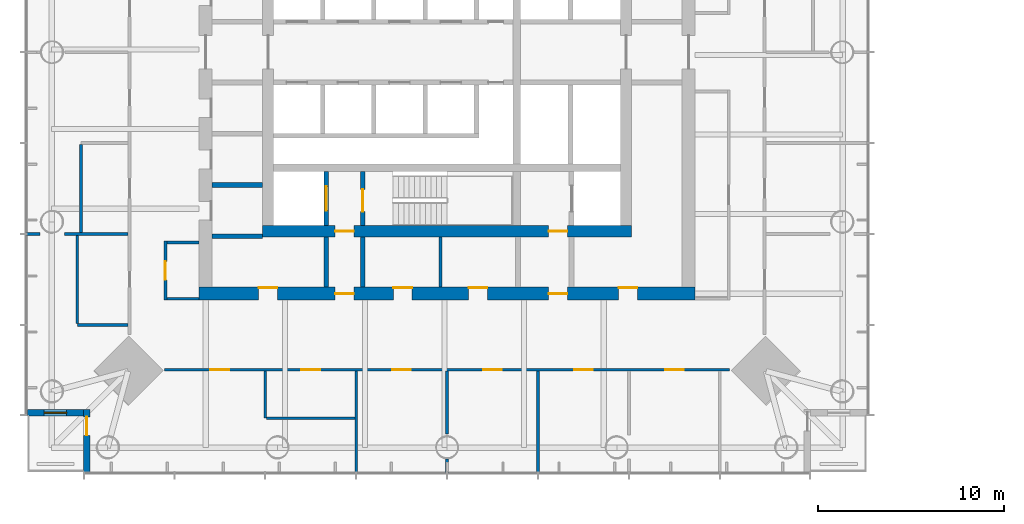
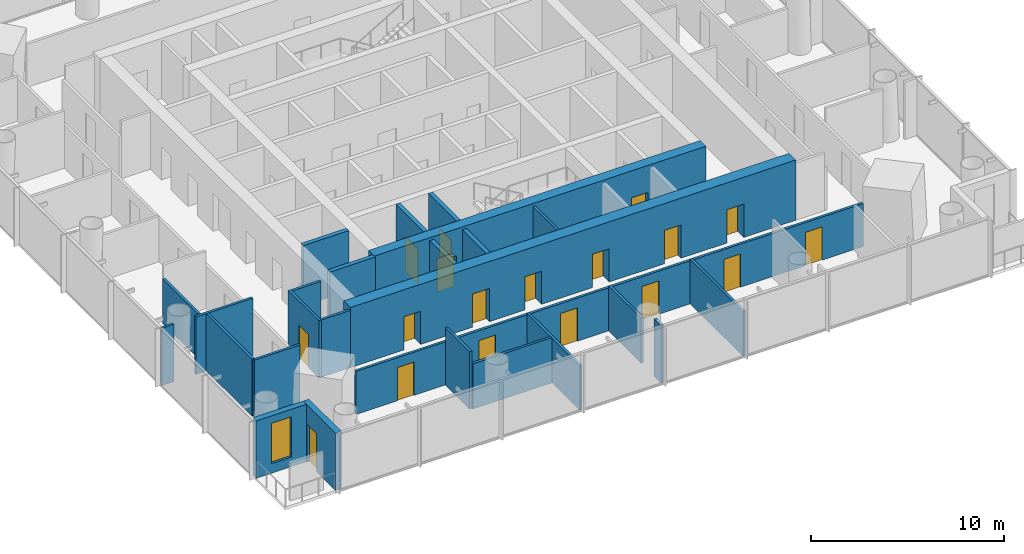
# One storey, part 9 of 20: 26 walls, 18 doors, 1 window, 19 openings.
"""IFC4 building model written with IfcOpenShell, lengths in metres."""

from ifc_helpers import new_model, si_unit, direction, frame, frame_2d, origin, place, context, subcontext, project, spatial, rectangle, extrude, material, layer, layer_set, type_object, element, fill, save


model = new_model("IFC4")

# Units and contexts
model_context = context("Model", 3, precision=1e-05, world=origin(), true_north=direction((0.0, 1.0)))
body_context = subcontext(model_context, "Body", "Model", "MODEL_VIEW")
ifc_project = project(units=[si_unit("LENGTHUNIT", "METRE"), si_unit("AREAUNIT", "SQUARE_METRE"), si_unit("VOLUMEUNIT", "CUBIC_METRE"), si_unit("PLANEANGLEUNIT", "RADIAN"), si_unit("MASSUNIT", "GRAM", prefix="KILO")], contexts=[model_context])

# Site, building, storey
site_placement = place(None, origin())
site = spatial("IfcSite", under=ifc_project, at=site_placement, CompositionType="ELEMENT")
building_placement = place(site_placement, origin())
building = spatial("IfcBuilding", under=site, at=building_placement, Name="Ostroluk Exchange", CompositionType="ELEMENT")
storey_placement = place(building_placement, frame((0.0, 0.0, 108.39990234375)))
storey = spatial("IfcBuildingStorey", under=building, at=storey_placement, Name="L27", CompositionType="ELEMENT", Elevation=108.39990234375)

# Walls
ifc_material_1 = material(Name="Concrete blockwork", Category="masonry")
ifc_layer_1 = layer(ifc_material_1, 0.14990234375)
ifc_layer_set_1 = layer_set([ifc_layer_1], Name="Blockwork plant room wall 150")
wall_type_1 = type_object("IfcWallType", Name="Blockwork plant room wall 150", PredefinedType="SOLIDWALL", material=ifc_layer_set_1)
wall_1_placement = place(storey_placement, frame((44.639892578125, 33.39990234375, 0.0), z_axis=(0.0, 0.0, 1.0), x_axis=(0.0, 1.0, 0.0)))
element("IfcWall", 1, at=wall_1_placement, inside=storey, type_object=wall_type_1, Name="Core room wall", PredefinedType="SOLIDWALL", context=body_context, shape_type="SweptSolid", body=[
    extrude(rectangle(XDim=2.7001953125, YDim=0.14990234375, at=frame_2d((1.35009765625, 0.0))), origin(), (0.0, 0.0, 1.0), 3.6201171875),
])
ifc_material_2 = material(Name="Concrete blockwork", Category="masonry")
ifc_layer_2 = layer(ifc_material_2, 0.25)
ifc_layer_set_2 = layer_set([ifc_layer_2], Name="Blockwork stair enclosure wall 250")
wall_type_2 = type_object("IfcWallType", Name="Blockwork stair enclosure wall 250", PredefinedType="SOLIDWALL", material=ifc_layer_set_2)
for number, where, z_axis, x_axis, name in (
    (2, (38.52490234375, 33.39990234375, 0.0), (0.0, 0.0, 1.0), (0.0, 1.0, 0.0), "Fire lobby enclosure wall"),
    (3, (40.47509765625, 33.39990234375, 0.0), (0.0, 0.0, 1.0), (0.0, 1.0, 0.0), "Fire lobby enclosure wall"),
):
    element("IfcWall", number, at=place(storey_placement, frame(where, z_axis=z_axis, x_axis=x_axis)), inside=storey, type_object=wall_type_2, Name=name, PredefinedType="SOLIDWALL", context=body_context, shape_type="SweptSolid", body=[
        extrude(rectangle(XDim=2.7001953125, YDim=0.25, at=frame_2d((1.35009765625, 0.0))), origin(), (0.0, 0.0, 1.0), 3.6201171875),
    ])

# Wall, opening, door
ifc_material_3 = material(Name="Concrete C40/50", Category="concrete")
ifc_layer_3 = layer(ifc_material_3, 0.25)
ifc_layer_set_3 = layer_set([ifc_layer_3], Name="Core shaft wall 250")
wall_type_3 = type_object("IfcWallType", Name="Core shaft wall 250", PredefinedType="SHEAR", material=ifc_layer_set_3)
wall_2_placement = place(storey_placement, frame((38.52490234375, 36.699951171875, 0.0), z_axis=(0.0, 0.0, 1.0), x_axis=(0.0, 1.0, 0.0)))
wall_2 = element("IfcWall", 4, at=wall_2_placement, inside=storey, type_object=wall_type_3, Name="Firefighting lift shaft wall", PredefinedType="SHEAR", context=body_context, shape_type="SweptSolid", body=[
    extrude(rectangle(XDim=2.900146484375, YDim=0.25, at=frame_2d((1.4501953125, 0.0))), origin(), (0.0, 0.0, 1.0), 3.800048828125),
])
opening_1_placement = place(wall_2_placement, frame((0.800048828125, 0.0, 0.0)))
opening_1 = element("IfcOpeningElement", 5, at=opening_1_placement, cuts=wall_2, Name="Opening LD2", PredefinedType="OPENING", context=body_context, shape_type="SweptSolid", body=[
    extrude(rectangle(XDim=1.300048828125, YDim=2.199951171875, at=frame_2d((0.64990234375, 1.10009765625))), frame((0.0, 0.135009765625, 0.0), z_axis=(0.0, -1.0, 0.0), x_axis=(1.0, 0.0, 0.0)), (0.0, 0.0, 1.0), 0.27001953125),
])
ifc_material_4 = material(Name="Stainless steel", Category="steel")
door_type_1 = type_object("IfcDoorType", Name="Lift landing door E 60 1300 x 2200", OperationType="DOUBLE_DOOR_SLIDING", PredefinedType="DOOR", material=ifc_material_4)
door_1_placement = place(opening_1_placement, origin())
door_1 = element("IfcDoor", 6, at=door_1_placement, inside=storey, type_object=door_type_1, Name="Lift FL1 landing door", OperationType="DOUBLE_DOOR_SLIDING", OverallHeight=2.199951171875, OverallWidth=1.300048828125, PredefinedType="DOOR", context=body_context, shape_type="SweptSolid", body=[
    extrude(rectangle(XDim=1.300048828125, YDim=2.199951171875, at=frame_2d((0.64990234375, 1.10009765625))), frame((0.0, 0.02490234375, 0.0), z_axis=(0.0, -1.0, 0.0), x_axis=(1.0, 0.0, 0.0)), (0.0, 0.0, 1.0), 0.050048828125),
])
fill(opening_1, door_1)

wall_3_placement = place(storey_placement, frame((40.47509765625, 36.699951171875, 0.0), z_axis=(0.0, 0.0, 1.0), x_axis=(0.0, 1.0, 0.0)))
wall_3 = element("IfcWall", 7, at=wall_3_placement, inside=storey, type_object=wall_type_3, Name="Stair shaft wall", PredefinedType="SHEAR", context=body_context, shape_type="SweptSolid", body=[
    extrude(rectangle(XDim=2.900146484375, YDim=0.25, at=frame_2d((1.4501953125, 0.0))), origin(), (0.0, 0.0, 1.0), 3.800048828125),
])
opening_2_placement = place(wall_3_placement, frame((0.75, 0.0, 0.0)))
opening_2 = element("IfcOpeningElement", 8, at=opening_2_placement, cuts=wall_3, Name="Opening FD60S", PredefinedType="OPENING", context=body_context, shape_type="SweptSolid", body=[
    extrude(rectangle(XDim=1.199951171875, YDim=2.10009765625, at=frame_2d((0.60009765625, 1.050048828125))), frame((0.0, 0.135009765625, 0.0), z_axis=(0.0, -1.0, 0.0), x_axis=(1.0, 0.0, 0.0)), (0.0, 0.0, 1.0), 0.27001953125),
])
ifc_material_5 = material(Name="Steel", Category="steel")
door_type_2 = type_object("IfcDoorType", Name="Stair door EI 60 1200 x 2100", OperationType="SINGLE_SWING_LEFT", PredefinedType="DOOR", material=ifc_material_5)
door_2_placement = place(opening_2_placement, origin())
door_2 = element("IfcDoor", 9, at=door_2_placement, inside=storey, type_object=door_type_2, Name="Stair T1-S1 door", OperationType="SINGLE_SWING_LEFT", OverallHeight=2.10009765625, OverallWidth=1.199951171875, PredefinedType="DOOR", context=body_context, shape_type="SweptSolid", body=[
    extrude(rectangle(XDim=1.199951171875, YDim=2.10009765625, at=frame_2d((0.60009765625, 1.050048828125))), frame((0.0, 0.02490234375, 0.0), z_axis=(0.0, -1.0, 0.0), x_axis=(1.0, 0.0, 0.0)), (0.0, 0.0, 1.0), 0.050048828125),
])
fill(opening_2, door_2)

# Walls
for number, where, z_axis, x_axis, name in (
    (10, (32.39990234375, 36.125, 0.0), (0.0, 0.0, 1.0), (1.0, 0.0, 0.0), "Lift shaft wall"),
    (11, (32.39990234375, 38.875, 0.0), (0.0, 0.0, 1.0), (1.0, 0.0, 0.0), "Lift shaft wall"),
):
    element("IfcWall", number, at=place(storey_placement, frame(where, z_axis=z_axis, x_axis=x_axis)), inside=storey, type_object=wall_type_3, Name=name, PredefinedType="SHEAR", context=body_context, shape_type="SweptSolid", body=[
        extrude(rectangle(XDim=2.7001953125, YDim=0.25, at=frame_2d((1.35009765625, 0.0))), origin(), (0.0, 0.0, 1.0), 3.800048828125),
    ])

# Wall, openings, doors
ifc_material_6 = material(Name="Concrete C50/60", Category="concrete")
ifc_layer_4 = layer(ifc_material_6, 0.60009765625)
ifc_layer_set_4 = layer_set([ifc_layer_4], Name="Core wall 600 C50/60")
wall_type_4 = type_object("IfcWallType", Name="Core wall 600 C50/60", PredefinedType="SHEAR", material=ifc_layer_set_4)
wall_4_placement = place(storey_placement, frame((35.10009765625, 36.39990234375, 0.0), z_axis=(0.0, 0.0, 1.0), x_axis=(1.0, 0.0, 0.0)))
wall_4 = element("IfcWall", 12, at=wall_4_placement, inside=storey, type_object=wall_type_4, Name="T1 core wall S", PredefinedType="SHEAR", context=body_context, shape_type="SweptSolid", body=[
    extrude(rectangle(XDim=19.7998046875, YDim=0.60009765625, at=frame_2d((9.89990234375, 0.0))), origin(), (0.0, 0.0, 1.0), 3.800048828125),
])
opening_3_placement = place(wall_4_placement, frame((3.89990234375, 0.0, 0.0)))
opening_3 = element("IfcOpeningElement", 13, at=opening_3_placement, cuts=wall_4, Name="Opening FD60", PredefinedType="OPENING", context=body_context, shape_type="SweptSolid", body=[
    extrude(rectangle(XDim=1.0, YDim=2.10009765625, at=frame_2d((0.5, 1.050048828125))), frame((0.0, 0.31005859375, 0.0), z_axis=(0.0, -1.0, 0.0), x_axis=(1.0, 0.0, 0.0)), (0.0, 0.0, 1.0), 0.6201171875),
])
opening_4_placement = place(wall_4_placement, frame((15.35009765625, 0.0, 0.0)))
opening_4 = element("IfcOpeningElement", 14, at=opening_4_placement, cuts=wall_4, Name="Opening FD60", PredefinedType="OPENING", context=body_context, shape_type="SweptSolid", body=[
    extrude(rectangle(XDim=1.0, YDim=2.10009765625, at=frame_2d((0.5, 1.050048828125))), frame((0.0, 0.31005859375, 0.0), z_axis=(0.0, -1.0, 0.0), x_axis=(1.0, 0.0, 0.0)), (0.0, 0.0, 1.0), 0.6201171875),
])
ifc_material_7 = material(Name="Steel", Category="steel")
door_type_3 = type_object("IfcDoorType", Name="Fire door EI 60 1000 x 2100", OperationType="SINGLE_SWING_LEFT", PredefinedType="DOOR", material=ifc_material_7)
door_3_placement = place(opening_3_placement, origin())
door_3 = element("IfcDoor", 15, at=door_3_placement, inside=storey, type_object=door_type_3, Name="Firefighting lobby door", OperationType="SINGLE_SWING_LEFT", OverallHeight=2.10009765625, OverallWidth=1.0, PredefinedType="DOOR", context=body_context, shape_type="SweptSolid", body=[
    extrude(rectangle(XDim=1.0, YDim=2.10009765625, at=frame_2d((0.5, 1.050048828125))), frame((0.0, 0.02490234375, 0.0), z_axis=(0.0, -1.0, 0.0), x_axis=(1.0, 0.0, 0.0)), (0.0, 0.0, 1.0), 0.050048828125),
])
fill(opening_3, door_3)
door_4_placement = place(opening_4_placement, origin())
door_4 = element("IfcDoor", 16, at=door_4_placement, inside=storey, type_object=door_type_3, Name="Service lobby door", OperationType="SINGLE_SWING_RIGHT", OverallHeight=2.10009765625, OverallWidth=1.0, PredefinedType="DOOR", context=body_context, shape_type="SweptSolid", body=[
    extrude(rectangle(XDim=1.0, YDim=2.10009765625, at=frame_2d((0.5, 1.050048828125))), frame((0.0, 0.02490234375, 0.0), z_axis=(0.0, -1.0, 0.0), x_axis=(1.0, 0.0, 0.0)), (0.0, 0.0, 1.0), 0.050048828125),
])
fill(opening_4, door_4)

ifc_material_8 = material(Name="Concrete C50/60", Category="concrete")
ifc_layer_5 = layer(ifc_material_8, 0.699951171875)
ifc_layer_set_5 = layer_set([ifc_layer_5], Name="Core wall 700 C50/60")
wall_type_5 = type_object("IfcWallType", Name="Core wall 700 C50/60", PredefinedType="SHEAR", material=ifc_layer_set_5)
wall_5_placement = place(storey_placement, frame((31.699951171875, 33.050048828125, 0.0), z_axis=(0.0, 0.0, 1.0), x_axis=(1.0, 0.0, 0.0)))
wall_5 = element("IfcWall", 17, at=wall_5_placement, inside=storey, type_object=wall_type_5, Name="T1 core wall RS", PredefinedType="SHEAR", context=body_context, shape_type="SweptSolid", body=[
    extrude(rectangle(XDim=26.60009765625, YDim=0.699951171875, at=frame_2d((13.300048828125, 0.0))), origin(), (0.0, 0.0, 1.0), 3.800048828125),
])
opening_5_placement = place(wall_5_placement, frame((7.300048828125, 0.0, 0.0)))
opening_5 = element("IfcOpeningElement", 18, at=opening_5_placement, cuts=wall_5, Name="Opening FD60", PredefinedType="OPENING", context=body_context, shape_type="SweptSolid", body=[
    extrude(rectangle(XDim=1.0, YDim=2.10009765625, at=frame_2d((0.5, 1.050048828125))), frame((0.0, 0.35986328125, 0.0), z_axis=(0.0, -1.0, 0.0), x_axis=(1.0, 0.0, 0.0)), (0.0, 0.0, 1.0), 0.719970703125),
])
opening_6_placement = place(wall_5_placement, frame((18.75, 0.0, 0.0)))
opening_6 = element("IfcOpeningElement", 19, at=opening_6_placement, cuts=wall_5, Name="Opening FD60", PredefinedType="OPENING", context=body_context, shape_type="SweptSolid", body=[
    extrude(rectangle(XDim=1.0, YDim=2.10009765625, at=frame_2d((0.5, 1.050048828125))), frame((0.0, 0.35986328125, 0.0), z_axis=(0.0, -1.0, 0.0), x_axis=(1.0, 0.0, 0.0)), (0.0, 0.0, 1.0), 0.719970703125),
])
opening_7_placement = place(wall_5_placement, frame((3.199951171875, 0.0, 0.0)))
opening_7 = element("IfcOpeningElement", 20, at=opening_7_placement, cuts=wall_5, Name="Opening FD60", PredefinedType="OPENING", context=body_context, shape_type="SweptSolid", body=[
    extrude(rectangle(XDim=1.0, YDim=2.10009765625, at=frame_2d((0.5, 1.050048828125))), frame((0.0, 0.35986328125, 0.0), z_axis=(0.0, -1.0, 0.0), x_axis=(1.0, 0.0, 0.0)), (0.0, 0.0, 1.0), 0.719970703125),
])
opening_8_placement = place(wall_5_placement, frame((10.419921875, 0.0, 0.0)))
opening_8 = element("IfcOpeningElement", 21, at=opening_8_placement, cuts=wall_5, Name="Opening FD60", PredefinedType="OPENING", context=body_context, shape_type="SweptSolid", body=[
    extrude(rectangle(XDim=1.0, YDim=2.10009765625, at=frame_2d((0.5, 1.050048828125))), frame((0.0, 0.35986328125, 0.0), z_axis=(0.0, -1.0, 0.0), x_axis=(1.0, 0.0, 0.0)), (0.0, 0.0, 1.0), 0.719970703125),
])
opening_9_placement = place(wall_5_placement, frame((14.4599609375, 0.0, 0.0)))
opening_9 = element("IfcOpeningElement", 22, at=opening_9_placement, cuts=wall_5, Name="Opening FD60", PredefinedType="OPENING", context=body_context, shape_type="SweptSolid", body=[
    extrude(rectangle(XDim=1.0, YDim=2.10009765625, at=frame_2d((0.5, 1.050048828125))), frame((0.0, 0.35986328125, 0.0), z_axis=(0.0, -1.0, 0.0), x_axis=(1.0, 0.0, 0.0)), (0.0, 0.0, 1.0), 0.719970703125),
])
opening_10_placement = place(wall_5_placement, frame((22.5, 0.0, 0.0)))
opening_10 = element("IfcOpeningElement", 23, at=opening_10_placement, cuts=wall_5, Name="Opening FD60", PredefinedType="OPENING", context=body_context, shape_type="SweptSolid", body=[
    extrude(rectangle(XDim=1.0, YDim=2.10009765625, at=frame_2d((0.5, 1.050048828125))), frame((0.0, 0.35986328125, 0.0), z_axis=(0.0, -1.0, 0.0), x_axis=(1.0, 0.0, 0.0)), (0.0, 0.0, 1.0), 0.719970703125),
])
door_5_placement = place(opening_5_placement, origin())
door_5 = element("IfcDoor", 24, at=door_5_placement, inside=storey, type_object=door_type_3, Name="Firefighting lobby door", OperationType="SINGLE_SWING_LEFT", OverallHeight=2.10009765625, OverallWidth=1.0, PredefinedType="DOOR", context=body_context, shape_type="SweptSolid", body=[
    extrude(rectangle(XDim=1.0, YDim=2.10009765625, at=frame_2d((0.5, 1.050048828125))), frame((0.0, 0.02490234375, 0.0), z_axis=(0.0, -1.0, 0.0), x_axis=(1.0, 0.0, 0.0)), (0.0, 0.0, 1.0), 0.050048828125),
])
fill(opening_5, door_5)
door_6_placement = place(opening_6_placement, origin())
door_6 = element("IfcDoor", 25, at=door_6_placement, inside=storey, type_object=door_type_3, Name="Service lobby door", OperationType="SINGLE_SWING_RIGHT", OverallHeight=2.10009765625, OverallWidth=1.0, PredefinedType="DOOR", context=body_context, shape_type="SweptSolid", body=[
    extrude(rectangle(XDim=1.0, YDim=2.10009765625, at=frame_2d((0.5, 1.050048828125))), frame((0.0, 0.02490234375, 0.0), z_axis=(0.0, -1.0, 0.0), x_axis=(1.0, 0.0, 0.0)), (0.0, 0.0, 1.0), 0.050048828125),
])
fill(opening_6, door_6)
door_7_placement = place(opening_7_placement, origin())
door_7 = element("IfcDoor", 26, at=door_7_placement, inside=storey, type_object=door_type_3, Name="Archive door", OperationType="SINGLE_SWING_LEFT", OverallHeight=2.10009765625, OverallWidth=1.0, PredefinedType="DOOR", context=body_context, shape_type="SweptSolid", body=[
    extrude(rectangle(XDim=1.0, YDim=2.10009765625, at=frame_2d((0.5, 1.050048828125))), frame((0.0, 0.33984375, 0.0), z_axis=(0.0, -1.0, 0.0), x_axis=(1.0, 0.0, 0.0)), (0.0, 0.0, 1.0), 0.050048828125),
])
fill(opening_7, door_7)
door_8_placement = place(opening_8_placement, origin())
door_8 = element("IfcDoor", 27, at=door_8_placement, inside=storey, type_object=door_type_3, Name="Tea point door", OperationType="SINGLE_SWING_LEFT", OverallHeight=2.10009765625, OverallWidth=1.0, PredefinedType="DOOR", context=body_context, shape_type="SweptSolid", body=[
    extrude(rectangle(XDim=1.0, YDim=2.10009765625, at=frame_2d((0.5, 1.050048828125))), frame((0.0, 0.33984375, 0.0), z_axis=(0.0, -1.0, 0.0), x_axis=(1.0, 0.0, 0.0)), (0.0, 0.0, 1.0), 0.050048828125),
])
fill(opening_8, door_8)
door_9_placement = place(opening_9_placement, origin())
door_9 = element("IfcDoor", 28, at=door_9_placement, inside=storey, type_object=door_type_3, Name="Print and post room door", OperationType="SINGLE_SWING_RIGHT", OverallHeight=2.10009765625, OverallWidth=1.0, PredefinedType="DOOR", context=body_context, shape_type="SweptSolid", body=[
    extrude(rectangle(XDim=1.0, YDim=2.10009765625, at=frame_2d((0.5, 1.050048828125))), frame((0.0, 0.33984375, 0.0), z_axis=(0.0, -1.0, 0.0), x_axis=(1.0, 0.0, 0.0)), (0.0, 0.0, 1.0), 0.050048828125),
])
fill(opening_9, door_9)
door_10_placement = place(opening_10_placement, origin())
door_10 = element("IfcDoor", 29, at=door_10_placement, inside=storey, type_object=door_type_3, Name="Tenant IT room door", OperationType="SINGLE_SWING_RIGHT", OverallHeight=2.10009765625, OverallWidth=1.0, PredefinedType="DOOR", context=body_context, shape_type="SweptSolid", body=[
    extrude(rectangle(XDim=1.0, YDim=2.10009765625, at=frame_2d((0.5, 1.050048828125))), frame((0.0, 0.33984375, 0.0), z_axis=(0.0, -1.0, 0.0), x_axis=(1.0, 0.0, 0.0)), (0.0, 0.0, 1.0), 0.050048828125),
])
fill(opening_10, door_10)

# Wall, opening, door
ifc_material_9 = material(Name="Limestone", Category="masonry")
ifc_layer_6 = layer(ifc_material_9, 0.35009765625)
ifc_layer_set_6 = layer_set([ifc_layer_6], Name="Limestone facade wall 350")
wall_type_6 = type_object("IfcWallType", Name="Limestone facade wall 350", PredefinedType="SOLIDWALL", material=ifc_layer_set_6)
wall_6_placement = place(storey_placement, frame((25.675048828125, 23.5, 0.0), z_axis=(0.0, 0.0, 1.0), x_axis=(0.0, 1.0, 0.0)))
wall_6 = element("IfcWall", 30, at=wall_6_placement, inside=storey, type_object=wall_type_6, Name="Office tower SW corner wall L27 a", PredefinedType="SOLIDWALL", context=body_context, shape_type="SweptSolid", body=[
    extrude(rectangle(XDim=3.35009765625, YDim=0.35009765625, at=frame_2d((1.675048828125, 0.0))), origin(), (0.0, 0.0, 1.0), 3.6201171875),
])
opening_11_placement = place(wall_6_placement, frame((1.949951171875, 0.0, 0.0)))
opening_11 = element("IfcOpeningElement", 31, at=opening_11_placement, cuts=wall_6, Name="Opening D-B1", PredefinedType="OPENING", context=body_context, shape_type="SweptSolid", body=[
    extrude(rectangle(XDim=1.0, YDim=2.39990234375, at=frame_2d((0.5, 1.199951171875))), frame((0.0, 0.18505859375, 0.0), z_axis=(0.0, -1.0, 0.0), x_axis=(1.0, 0.0, 0.0)), (0.0, 0.0, 1.0), 0.3701171875),
])
ifc_material_10 = material(Name="Bronze framed glazed door", Category="aluminium")
door_type_4 = type_object("IfcDoorType", Name="Balcony door 1000 x 2400", OperationType="SINGLE_SWING_LEFT", PredefinedType="DOOR", material=ifc_material_10)
door_11_placement = place(opening_11_placement, origin())
door_11 = element("IfcDoor", 32, at=door_11_placement, inside=storey, type_object=door_type_4, Name="Office tower SW balcony door L27", OperationType="SINGLE_SWING_RIGHT", OverallHeight=2.39990234375, OverallWidth=1.0, PredefinedType="DOOR", context=body_context, shape_type="SweptSolid", body=[
    extrude(rectangle(XDim=1.0, YDim=2.39990234375, at=frame_2d((0.5, 1.199951171875))), frame((0.0, 0.02490234375, 0.0), z_axis=(0.0, -1.0, 0.0), x_axis=(1.0, 0.0, 0.0)), (0.0, 0.0, 1.0), 0.050048828125),
])
fill(opening_11, door_11)

# Wall, opening, window
wall_7_placement = place(storey_placement, frame((25.5, 26.675048828125, 0.0), z_axis=(0.0, 0.0, 1.0), x_axis=(-1.0, 0.0, 0.0)))
wall_7 = element("IfcWall", 33, at=wall_7_placement, inside=storey, type_object=wall_type_6, Name="Office tower SW corner wall L27 b", PredefinedType="SOLIDWALL", context=body_context, shape_type="SweptSolid", body=[
    extrude(rectangle(XDim=3.0, YDim=0.35009765625, at=frame_2d((1.5, 0.0))), origin(), (0.0, 0.0, 1.0), 3.6201171875),
])
opening_12_placement = place(wall_7_placement, frame((0.89990234375, 0.0, 0.60009765625)))
opening_12 = element("IfcOpeningElement", 34, at=opening_12_placement, cuts=wall_7, Name="Opening WN-L1", PredefinedType="OPENING", context=body_context, shape_type="SweptSolid", body=[
    extrude(rectangle(XDim=1.199951171875, YDim=2.550048828125, at=frame_2d((0.60009765625, 1.27490234375))), frame((0.0, 0.18505859375, 0.0), z_axis=(0.0, -1.0, 0.0), x_axis=(1.0, 0.0, 0.0)), (0.0, 0.0, 1.0), 0.3701171875),
])
ifc_material_11 = material(Name="Laminated clear glass", Category="glass")
window_type = type_object("IfcWindowType", Name="Lancet window 1200 x 2550", PartitioningType="SINGLE_PANEL", PredefinedType="WINDOW", material=ifc_material_11)
window_placement = place(opening_12_placement, origin())
window = element("IfcWindow", 35, at=window_placement, inside=storey, type_object=window_type, Name="Office tower SW lancet window L27", OverallHeight=2.550048828125, OverallWidth=1.199951171875, PartitioningType="SINGLE_PANEL", PredefinedType="WINDOW", context=body_context, shape_type="SweptSolid", body=[
    extrude(rectangle(XDim=1.199951171875, YDim=2.550048828125, at=frame_2d((0.60009765625, 1.27490234375))), frame((0.0, 0.030029296875, 0.0), z_axis=(0.0, -1.0, 0.0), x_axis=(1.0, 0.0, 0.0)), (0.0, 0.0, 1.0), 0.06005859375),
])
fill(opening_12, window)

# Wall, opening, door
ifc_material_12 = material(Name="Gypsum plasterboard partition", Category="gypsum")
ifc_layer_7 = layer(ifc_material_12, 0.14990234375)
ifc_layer_set_7 = layer_set([ifc_layer_7], Name="Plasterboard partition 150")
wall_type_7 = type_object("IfcWallType", Name="Plasterboard partition 150", PredefinedType="PARTITIONING", material=ifc_layer_set_7)
wall_8_placement = place(storey_placement, frame((29.89990234375, 35.875, 0.0), z_axis=(0.0, 0.0, 1.0), x_axis=(0.0, -1.0, 0.0)))
wall_8 = element("IfcWall", 36, at=wall_8_placement, inside=storey, type_object=wall_type_7, Name="Partition", PredefinedType="PARTITIONING", context=body_context, shape_type="SweptSolid", body=[
    extrude(rectangle(XDim=3.175048828125, YDim=0.14990234375, at=frame_2d((1.58740234375, 0.0))), origin(), (0.0, 0.0, 1.0), 3.6201171875),
])
opening_13_placement = place(wall_8_placement, frame((1.08740234375, 0.0, 0.0)))
opening_13 = element("IfcOpeningElement", 37, at=opening_13_placement, cuts=wall_8, Name="Opening D-03", PredefinedType="OPENING", context=body_context, shape_type="SweptSolid", body=[
    extrude(rectangle(XDim=1.0, YDim=2.10009765625, at=frame_2d((0.5, 1.050048828125))), frame((0.0, 0.0849609375, 0.0), z_axis=(0.0, -1.0, 0.0), x_axis=(1.0, 0.0, 0.0)), (0.0, 0.0, 1.0), 0.169921875),
])
ifc_material_13 = material(Name="Timber", Category="wood")
door_type_5 = type_object("IfcDoorType", Name="Internal door 1000 x 2100", OperationType="SINGLE_SWING_LEFT", PredefinedType="DOOR", material=ifc_material_13)
door_12_placement = place(opening_13_placement, origin())
door_12 = element("IfcDoor", 38, at=door_12_placement, inside=storey, type_object=door_type_5, Name="Project room door", OperationType="SINGLE_SWING_RIGHT", OverallHeight=2.10009765625, OverallWidth=1.0, PredefinedType="DOOR", context=body_context, shape_type="SweptSolid", body=[
    extrude(rectangle(XDim=1.0, YDim=2.10009765625, at=frame_2d((0.5, 1.050048828125))), frame((0.0, 0.02490234375, 0.0), z_axis=(0.0, -1.0, 0.0), x_axis=(1.0, 0.0, 0.0)), (0.0, 0.0, 1.0), 0.050048828125),
])
fill(opening_13, door_12)

# Walls
for number, where, z_axis, x_axis, name in (
    (39, (31.699951171875, 35.800048828125, 0.0), (0.0, 0.0, 1.0), (-1.0, 0.0, 0.0), "Partition"),
    (40, (31.699951171875, 32.77490234375, 0.0), (0.0, 0.0, 1.0), (-1.0, 0.0, 0.0), "Partition"),
):
    element("IfcWall", number, at=place(storey_placement, frame(where, z_axis=z_axis, x_axis=x_axis)), inside=storey, type_object=wall_type_7, Name=name, PredefinedType="PARTITIONING", context=body_context, shape_type="SweptSolid", body=[
        extrude(rectangle(XDim=1.724853515625, YDim=0.14990234375, at=frame_2d((0.8623046875, 0.0))), origin(), (0.0, 0.0, 1.0), 3.6201171875),
    ])
wall_9_placement = place(storey_placement, frame((27.89990234375, 36.25, 0.0), z_axis=(0.0, 0.0, 1.0), x_axis=(-1.0, 0.0, 0.0)))
element("IfcWall", 41, at=wall_9_placement, inside=storey, type_object=wall_type_7, Name="Partition", PredefinedType="PARTITIONING", context=body_context, shape_type="SweptSolid", body=[
    extrude(rectangle(XDim=3.42138671875, YDim=0.14990234375, at=frame_2d((1.710693359375, 0.0))), origin(), (0.0, 0.0, 1.0), 3.6201171875),
])
wall_10_placement = place(storey_placement, frame((23.183349609375, 36.25, 0.0), z_axis=(0.0, 0.0, 1.0), x_axis=(-1.0, 0.0, 0.0)))
element("IfcWall", 42, at=wall_10_placement, inside=storey, type_object=wall_type_7, Name="Partition", PredefinedType="PARTITIONING", context=body_context, shape_type="SweptSolid", body=[
    extrude(rectangle(XDim=0.723388671875, YDim=0.14990234375, at=frame_2d((0.36181640625, 0.0))), origin(), (0.0, 0.0, 1.0), 3.6201171875),
])
wall_11_placement = place(storey_placement, frame((27.89990234375, 31.375, 0.0), z_axis=(0.0, 0.0, 1.0), x_axis=(-1.0, 0.0, 0.0)))
element("IfcWall", 43, at=wall_11_placement, inside=storey, type_object=wall_type_7, Name="Partition", PredefinedType="PARTITIONING", context=body_context, shape_type="SweptSolid", body=[
    extrude(rectangle(XDim=2.724853515625, YDim=0.14990234375, at=frame_2d((1.3623046875, 0.0))), origin(), (0.0, 0.0, 1.0), 3.6201171875),
])
wall_12_placement = place(storey_placement, frame((35.324951171875, 26.375, 0.0), z_axis=(0.0, 0.0, 1.0), x_axis=(1.0, 0.0, 0.0)))
element("IfcWall", 44, at=wall_12_placement, inside=storey, type_object=wall_type_7, Name="Partition", PredefinedType="PARTITIONING", context=body_context, shape_type="SweptSolid", body=[
    extrude(rectangle(XDim=4.72509765625, YDim=0.14990234375, at=frame_2d((2.362548828125, 0.0))), origin(), (0.0, 0.0, 1.0), 2.858154296875),
])

# Wall, openings, doors
wall_13_placement = place(storey_placement, frame((29.852783203125, 28.97509765625, 0.0), z_axis=(0.0, 0.0, 1.0), x_axis=(1.0, 0.0, 0.0)))
wall_13 = element("IfcWall", 45, at=wall_13_placement, inside=storey, type_object=wall_type_7, Name="Partition", PredefinedType="PARTITIONING", context=body_context, shape_type="SweptSolid", body=[
    extrude(rectangle(XDim=30.29443359375, YDim=0.14990234375, at=frame_2d((15.147216796875, 0.0))), origin(), (0.0, 0.0, 1.0), 2.72021484375),
])
opening_14_placement = place(wall_13_placement, frame((2.459716796875, 0.0, 0.0)))
opening_14 = element("IfcOpeningElement", 46, at=opening_14_placement, cuts=wall_13, Name="Opening D-03", PredefinedType="OPENING", context=body_context, shape_type="SweptSolid", body=[
    extrude(rectangle(XDim=1.0, YDim=2.10009765625, at=frame_2d((0.5, 1.050048828125))), frame((0.0, 0.0849609375, 0.0), z_axis=(0.0, -1.0, 0.0), x_axis=(1.0, 0.0, 0.0)), (0.0, 0.0, 1.0), 0.169921875),
])
opening_15_placement = place(wall_13_placement, frame((7.334716796875, 0.0, 0.0)))
opening_15 = element("IfcOpeningElement", 47, at=opening_15_placement, cuts=wall_13, Name="Opening D-03", PredefinedType="OPENING", context=body_context, shape_type="SweptSolid", body=[
    extrude(rectangle(XDim=1.0, YDim=2.10009765625, at=frame_2d((0.5, 1.050048828125))), frame((0.0, 0.0849609375, 0.0), z_axis=(0.0, -1.0, 0.0), x_axis=(1.0, 0.0, 0.0)), (0.0, 0.0, 1.0), 0.169921875),
])
opening_16_placement = place(wall_13_placement, frame((12.209716796875, 0.0, 0.0)))
opening_16 = element("IfcOpeningElement", 48, at=opening_16_placement, cuts=wall_13, Name="Opening D-03", PredefinedType="OPENING", context=body_context, shape_type="SweptSolid", body=[
    extrude(rectangle(XDim=1.0, YDim=2.10009765625, at=frame_2d((0.5, 1.050048828125))), frame((0.0, 0.0849609375, 0.0), z_axis=(0.0, -1.0, 0.0), x_axis=(1.0, 0.0, 0.0)), (0.0, 0.0, 1.0), 0.169921875),
])
opening_17_placement = place(wall_13_placement, frame((17.084716796875, 0.0, 0.0)))
opening_17 = element("IfcOpeningElement", 49, at=opening_17_placement, cuts=wall_13, Name="Opening D-03", PredefinedType="OPENING", context=body_context, shape_type="SweptSolid", body=[
    extrude(rectangle(XDim=1.0, YDim=2.10009765625, at=frame_2d((0.5, 1.050048828125))), frame((0.0, 0.0849609375, 0.0), z_axis=(0.0, -1.0, 0.0), x_axis=(1.0, 0.0, 0.0)), (0.0, 0.0, 1.0), 0.169921875),
])
opening_18_placement = place(wall_13_placement, frame((21.959716796875, 0.0, 0.0)))
opening_18 = element("IfcOpeningElement", 50, at=opening_18_placement, cuts=wall_13, Name="Opening D-03", PredefinedType="OPENING", context=body_context, shape_type="SweptSolid", body=[
    extrude(rectangle(XDim=1.0, YDim=2.10009765625, at=frame_2d((0.5, 1.050048828125))), frame((0.0, 0.0849609375, 0.0), z_axis=(0.0, -1.0, 0.0), x_axis=(1.0, 0.0, 0.0)), (0.0, 0.0, 1.0), 0.169921875),
])
opening_19_placement = place(wall_13_placement, frame((26.834716796875, 0.0, 0.0)))
opening_19 = element("IfcOpeningElement", 51, at=opening_19_placement, cuts=wall_13, Name="Opening D-03", PredefinedType="OPENING", context=body_context, shape_type="SweptSolid", body=[
    extrude(rectangle(XDim=1.0, YDim=2.10009765625, at=frame_2d((0.5, 1.050048828125))), frame((0.0, 0.0849609375, 0.0), z_axis=(0.0, -1.0, 0.0), x_axis=(1.0, 0.0, 0.0)), (0.0, 0.0, 1.0), 0.169921875),
])
door_13_placement = place(opening_14_placement, origin())
door_13 = element("IfcDoor", 52, at=door_13_placement, inside=storey, type_object=door_type_5, Name="Office suite door", OperationType="SINGLE_SWING_LEFT", OverallHeight=2.10009765625, OverallWidth=1.0, PredefinedType="DOOR", context=body_context, shape_type="SweptSolid", body=[
    extrude(rectangle(XDim=1.0, YDim=2.10009765625, at=frame_2d((0.5, 1.050048828125))), frame((0.0, 0.02490234375, 0.0), z_axis=(0.0, -1.0, 0.0), x_axis=(1.0, 0.0, 0.0)), (0.0, 0.0, 1.0), 0.050048828125),
])
fill(opening_14, door_13)
door_14_placement = place(opening_15_placement, origin())
door_14 = element("IfcDoor", 53, at=door_14_placement, inside=storey, type_object=door_type_5, Name="Pantry door", OperationType="SINGLE_SWING_LEFT", OverallHeight=2.10009765625, OverallWidth=1.0, PredefinedType="DOOR", context=body_context, shape_type="SweptSolid", body=[
    extrude(rectangle(XDim=1.0, YDim=2.10009765625, at=frame_2d((0.5, 1.050048828125))), frame((0.0, 0.02490234375, 0.0), z_axis=(0.0, -1.0, 0.0), x_axis=(1.0, 0.0, 0.0)), (0.0, 0.0, 1.0), 0.050048828125),
])
fill(opening_15, door_14)
door_15_placement = place(opening_16_placement, origin())
door_15 = element("IfcDoor", 54, at=door_15_placement, inside=storey, type_object=door_type_5, Name="Office door", OperationType="SINGLE_SWING_LEFT", OverallHeight=2.10009765625, OverallWidth=1.0, PredefinedType="DOOR", context=body_context, shape_type="SweptSolid", body=[
    extrude(rectangle(XDim=1.0, YDim=2.10009765625, at=frame_2d((0.5, 1.050048828125))), frame((0.0, 0.02490234375, 0.0), z_axis=(0.0, -1.0, 0.0), x_axis=(1.0, 0.0, 0.0)), (0.0, 0.0, 1.0), 0.050048828125),
])
fill(opening_16, door_15)
door_16_placement = place(opening_17_placement, origin())
door_16 = element("IfcDoor", 55, at=door_16_placement, inside=storey, type_object=door_type_5, Name="Office door", OperationType="SINGLE_SWING_RIGHT", OverallHeight=2.10009765625, OverallWidth=1.0, PredefinedType="DOOR", context=body_context, shape_type="SweptSolid", body=[
    extrude(rectangle(XDim=1.0, YDim=2.10009765625, at=frame_2d((0.5, 1.050048828125))), frame((0.0, 0.02490234375, 0.0), z_axis=(0.0, -1.0, 0.0), x_axis=(1.0, 0.0, 0.0)), (0.0, 0.0, 1.0), 0.050048828125),
])
fill(opening_17, door_16)
door_17_placement = place(opening_18_placement, origin())
door_17 = element("IfcDoor", 56, at=door_17_placement, inside=storey, type_object=door_type_5, Name="Office door", OperationType="SINGLE_SWING_RIGHT", OverallHeight=2.10009765625, OverallWidth=1.0, PredefinedType="DOOR", context=body_context, shape_type="SweptSolid", body=[
    extrude(rectangle(XDim=1.0, YDim=2.10009765625, at=frame_2d((0.5, 1.050048828125))), frame((0.0, 0.02490234375, 0.0), z_axis=(0.0, -1.0, 0.0), x_axis=(1.0, 0.0, 0.0)), (0.0, 0.0, 1.0), 0.050048828125),
])
fill(opening_18, door_17)
door_18_placement = place(opening_19_placement, origin())
door_18 = element("IfcDoor", 57, at=door_18_placement, inside=storey, type_object=door_type_5, Name="Office door", OperationType="SINGLE_SWING_RIGHT", OverallHeight=2.10009765625, OverallWidth=1.0, PredefinedType="DOOR", context=body_context, shape_type="SweptSolid", body=[
    extrude(rectangle(XDim=1.0, YDim=2.10009765625, at=frame_2d((0.5, 1.050048828125))), frame((0.0, 0.02490234375, 0.0), z_axis=(0.0, -1.0, 0.0), x_axis=(1.0, 0.0, 0.0)), (0.0, 0.0, 1.0), 0.050048828125),
])
fill(opening_19, door_18)

# Walls
wall_14_placement = place(storey_placement, frame((35.25, 28.89990234375, 0.0), z_axis=(0.0, 0.0, 1.0), x_axis=(0.0, -1.0, 0.0)))
element("IfcWall", 58, at=wall_14_placement, inside=storey, type_object=wall_type_7, Name="Partition", PredefinedType="PARTITIONING", context=body_context, shape_type="SweptSolid", body=[
    extrude(rectangle(XDim=2.52490234375, YDim=0.14990234375, at=frame_2d((1.262451171875, 0.0))), origin(), (0.0, 0.0, 1.0), 3.6201171875),
])
wall_15_placement = place(storey_placement, frame((40.125, 28.89990234375, 0.0), z_axis=(0.0, 0.0, 1.0), x_axis=(0.0, -1.0, 0.0)))
element("IfcWall", 59, at=wall_15_placement, inside=storey, type_object=wall_type_7, Name="Partition", PredefinedType="PARTITIONING", context=body_context, shape_type="SweptSolid", body=[
    extrude(rectangle(XDim=5.43994140625, YDim=0.14990234375, at=frame_2d((2.719970703125, 0.0))), origin(), (0.0, 0.0, 1.0), 2.820068359375),
])
wall_16_placement = place(storey_placement, frame((45.0, 28.89990234375, 0.0), z_axis=(0.0, 0.0, 1.0), x_axis=(0.0, -1.0, 0.0)))
element("IfcWall", 60, at=wall_16_placement, inside=storey, type_object=wall_type_7, Name="Partition", PredefinedType="PARTITIONING", context=body_context, shape_type="SweptSolid", body=[
    extrude(rectangle(XDim=3.376220703125, YDim=0.14990234375, at=frame_2d((1.68798828125, 0.0))), origin(), (0.0, 0.0, 1.0), 2.858154296875),
])
wall_17_placement = place(storey_placement, frame((45.0, 24.183349609375, 0.0), z_axis=(0.0, 0.0, 1.0), x_axis=(0.0, -1.0, 0.0)))
element("IfcWall", 61, at=wall_17_placement, inside=storey, type_object=wall_type_7, Name="Partition", PredefinedType="PARTITIONING", context=body_context, shape_type="SweptSolid", body=[
    extrude(rectangle(XDim=0.723388671875, YDim=0.14990234375, at=frame_2d((0.36181640625, 0.0))), origin(), (0.0, 0.0, 1.0), 3.6201171875),
])
wall_18_placement = place(storey_placement, frame((49.875, 28.89990234375, 0.0), z_axis=(0.0, 0.0, 1.0), x_axis=(0.0, -1.0, 0.0)))
element("IfcWall", 62, at=wall_18_placement, inside=storey, type_object=wall_type_7, Name="Partition", PredefinedType="PARTITIONING", context=body_context, shape_type="SweptSolid", body=[
    extrude(rectangle(XDim=5.43994140625, YDim=0.14990234375, at=frame_2d((2.719970703125, 0.0))), origin(), (0.0, 0.0, 1.0), 2.820068359375),
])
ifc_material_14 = material(Name="Gypsum plasterboard partition, moisture resistant", Category="gypsum")
ifc_layer_8 = layer(ifc_material_14, 0.14990234375)
ifc_layer_set_8 = layer_set([ifc_layer_8], Name="Plasterboard toilet partition 150")
wall_type_8 = type_object("IfcWallType", Name="Plasterboard toilet partition 150", PredefinedType="PARTITIONING", material=ifc_layer_set_8)
wall_19_placement = place(storey_placement, frame((25.375, 41.050048828125, 0.0), z_axis=(0.0, 0.0, 1.0), x_axis=(0.0, -1.0, 0.0)))
element("IfcWall", 63, at=wall_19_placement, inside=storey, type_object=wall_type_8, Name="Toilet partition", PredefinedType="PARTITIONING", context=body_context, shape_type="SweptSolid", body=[
    extrude(rectangle(XDim=4.72509765625, YDim=0.14990234375, at=frame_2d((2.362548828125, 0.0))), origin(), (0.0, 0.0, 1.0), 2.80615234375),
])
wall_20_placement = place(storey_placement, frame((25.175048828125, 36.175048828125, 0.0), z_axis=(0.0, 0.0, 1.0), x_axis=(0.0, -1.0, 0.0)))
element("IfcWall", 64, at=wall_20_placement, inside=storey, type_object=wall_type_8, Name="Toilet partition", PredefinedType="PARTITIONING", context=body_context, shape_type="SweptSolid", body=[
    extrude(rectangle(XDim=4.72509765625, YDim=0.14990234375, at=frame_2d((2.362548828125, 0.0))), origin(), (0.0, 0.0, 1.0), 3.6201171875),
])

save(model, "model.ifc")
